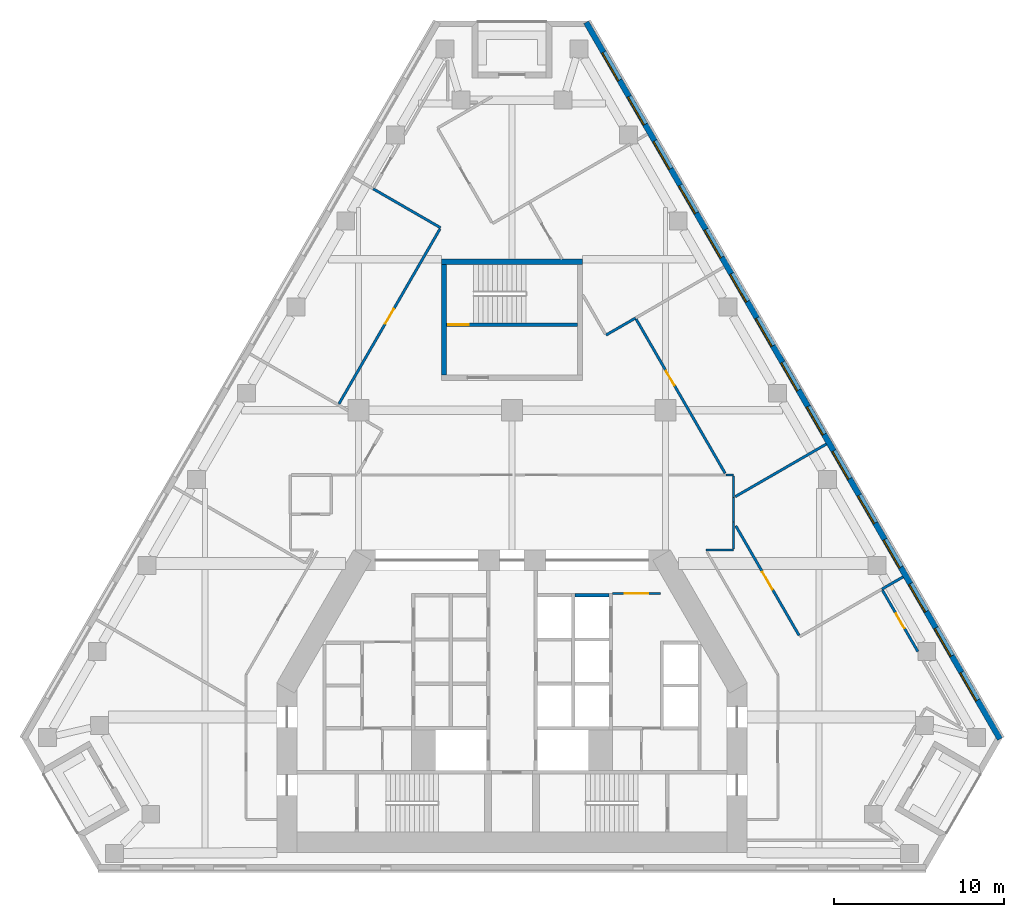
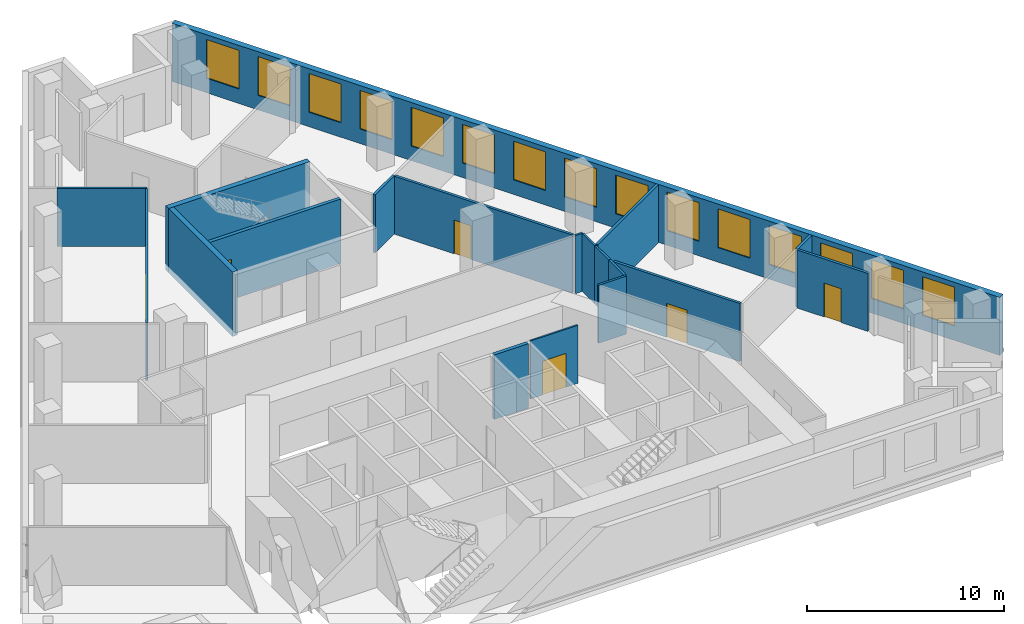
# One storey, part 6 of 8: 19 walls, 15 windows, 6 doors, 21 openings.
"""IFC4 building model written with IfcOpenShell, lengths in metres."""

from ifc_helpers import new_model, si_unit, direction, frame, frame_2d, origin, place, context, subcontext, project, spatial, rectangle, extrude, material, layer, layer_set, type_object, element, fill, save


model = new_model("IFC4")

# Units and contexts
model_context = context("Model", 3, precision=1e-05, world=origin(), true_north=direction((0.0, 1.0)))
body_context = subcontext(model_context, "Body", "Model", "MODEL_VIEW")
ifc_project = project(units=[si_unit("LENGTHUNIT", "METRE"), si_unit("AREAUNIT", "SQUARE_METRE"), si_unit("VOLUMEUNIT", "CUBIC_METRE"), si_unit("PLANEANGLEUNIT", "RADIAN"), si_unit("MASSUNIT", "GRAM", prefix="KILO")], contexts=[model_context])

# Site, building, storey
site_placement = place(None, origin())
site = spatial("IfcSite", under=ifc_project, at=site_placement, CompositionType="ELEMENT")
building_placement = place(site_placement, origin())
building = spatial("IfcBuilding", under=site, at=building_placement, Name="Fogline Exchange Tower", CompositionType="ELEMENT")
storey_placement = place(building_placement, frame((0.0, 0.0, 154.89990234375)))
storey = spatial("IfcBuildingStorey", under=building, at=storey_placement, Name="L34", CompositionType="ELEMENT", Elevation=154.89990234375)

# Wall, opening, door
ifc_material_1 = material(Name="Blockwork partition", Category="masonry")
ifc_layer_1 = layer(ifc_material_1, 0.10009765625)
ifc_layer_set_1 = layer_set([ifc_layer_1], Name="CW10")
wall_type_1 = type_object("IfcWallType", Name="CW10", PredefinedType="PARTITIONING", material=ifc_layer_set_1)
wall_1_placement = place(storey_placement, frame((5.89990234375, 16.25, 0.0), z_axis=(0.0, 0.0, 1.0), x_axis=(1.0, 0.0, 0.0)))
wall_1 = element("IfcWall", 1, at=wall_1_placement, inside=storey, type_object=wall_type_1, Name="Lift lobby partition", PredefinedType="PARTITIONING", context=body_context, shape_type="SweptSolid", body=[
    extrude(rectangle(XDim=2.800048828125, YDim=0.10009765625, at=frame_2d((1.39990234375, 0.0))), origin(), (0.0, 0.0, 1.0), 3.60009765625),
])
opening_1_placement = place(wall_1_placement, frame((0.699951171875, 0.0, 0.0)))
opening_1 = element("IfcOpeningElement", 2, at=opening_1_placement, cuts=wall_1, Name="Opening T11-C017", PredefinedType="OPENING", context=body_context, shape_type="SweptSolid", body=[
    extrude(rectangle(XDim=1.39990234375, YDim=2.10009765625, at=frame_2d((0.699951171875, 1.050048828125))), frame((0.0, 0.06005859375, 0.0), z_axis=(0.0, -1.0, 0.0), x_axis=(1.0, 0.0, 0.0)), (0.0, 0.0, 1.0), 0.1201171875),
])
ifc_material_2 = material(Name="Steel and timber fire door", Category="steel")
door_type_1 = type_object("IfcDoorType", Name="D-LB1", OperationType="DOUBLE_DOOR_SINGLE_SWING", PredefinedType="DOOR", material=ifc_material_2)
door_1_placement = place(opening_1_placement, origin())
door_1 = element("IfcDoor", 3, at=door_1_placement, inside=storey, type_object=door_type_1, Name="Door to lift lobby", OperationType="DOUBLE_DOOR_SINGLE_SWING", OverallHeight=2.10009765625, OverallWidth=1.39990234375, PredefinedType="DOOR", context=body_context, shape_type="SweptSolid", body=[
    extrude(rectangle(XDim=1.39990234375, YDim=2.10009765625, at=frame_2d((0.699951171875, 1.050048828125))), frame((0.0, 0.02490234375, 0.0), z_axis=(0.0, -1.0, 0.0), x_axis=(1.0, 0.0, 0.0)), (0.0, 0.0, 1.0), 0.050048828125),
])
fill(opening_1, door_1)

ifc_material_3 = material(Name="Concrete C40", Category="concrete")
ifc_layer_2 = layer(ifc_material_3, 0.199951171875)
ifc_layer_set_2 = layer_set([ifc_layer_2], Name="CW20R")
wall_type_2 = type_object("IfcWallType", Name="CW20R", PredefinedType="SOLIDWALL", material=ifc_layer_set_2)
wall_2_placement = place(storey_placement, frame((-3.85009765625, 32.007080078125, -0.39990234375), z_axis=(0.0, 0.0, 1.0), x_axis=(1.0, 0.0, 0.0)))
wall_2 = element("IfcWall", 4, at=wall_2_placement, inside=storey, type_object=wall_type_2, Name="Stair enclosure wall ST3", PredefinedType="SOLIDWALL", context=body_context, shape_type="SweptSolid", body=[
    extrude(rectangle(XDim=7.7001953125, YDim=0.199951171875, at=frame_2d((3.85009765625, 0.0))), origin(), (0.0, 0.0, 1.0), 4.0),
])
opening_2_placement = place(wall_2_placement, frame((0.10009765625, 0.0, 0.39990234375)))
opening_2 = element("IfcOpeningElement", 5, at=opening_2_placement, cuts=wall_2, Name="Opening T11-C027", PredefinedType="OPENING", context=body_context, shape_type="SweptSolid", body=[
    extrude(rectangle(XDim=1.199951171875, YDim=2.10009765625, at=frame_2d((0.60009765625, 1.050048828125))), frame((0.0, 0.10986328125, 0.0), z_axis=(0.0, -1.0, 0.0), x_axis=(1.0, 0.0, 0.0)), (0.0, 0.0, 1.0), 0.219970703125),
])
door_type_2 = type_object("IfcDoorType", Name="D-ST1", OperationType="SINGLE_SWING_LEFT", PredefinedType="DOOR", material=ifc_material_2)
door_2_placement = place(opening_2_placement, origin())
door_2 = element("IfcDoor", 6, at=door_2_placement, inside=storey, type_object=door_type_2, Name="Stair door ST3", OperationType="SINGLE_SWING_LEFT", OverallHeight=2.10009765625, OverallWidth=1.199951171875, PredefinedType="DOOR", context=body_context, shape_type="SweptSolid", body=[
    extrude(rectangle(XDim=1.199951171875, YDim=2.10009765625, at=frame_2d((0.60009765625, 1.050048828125))), frame((0.0, 0.02490234375, 0.0), z_axis=(0.0, -1.0, 0.0), x_axis=(1.0, 0.0, 0.0)), (0.0, 0.0, 1.0), 0.050048828125),
])
fill(opening_2, door_2)

# Walls
ifc_layer_3 = layer(ifc_material_3, 0.199951171875)
ifc_layer_set_3 = layer_set([ifc_layer_3], Name="CW20S")
wall_type_3 = type_object("IfcWallType", Name="CW20S", PredefinedType="SOLIDWALL", material=ifc_layer_set_3)
wall_3_placement = place(storey_placement, frame((3.699951171875, 16.14990234375, -0.39990234375), z_axis=(0.0, 0.0, 1.0), x_axis=(1.0, 0.0, 0.0)))
element("IfcWall", 7, at=wall_3_placement, inside=storey, type_object=wall_type_3, Name="Lift shaft wall", PredefinedType="SOLIDWALL", context=body_context, shape_type="SweptSolid", body=[
    extrude(rectangle(XDim=2.0, YDim=0.199951171875, at=frame_2d((1.0, 0.0))), origin(), (0.0, 0.0, 1.0), 4.0),
])
ifc_layer_4 = layer(ifc_material_3, 0.300048828125)
ifc_layer_set_4 = layer_set([ifc_layer_4], Name="CW30")
wall_type_4 = type_object("IfcWallType", Name="CW30", PredefinedType="SOLIDWALL", material=ifc_layer_set_4)
wall_4_placement = place(storey_placement, frame((-4.14990234375, 35.70703125, -0.39990234375), z_axis=(0.0, 0.0, 1.0), x_axis=(1.0, 0.0, 0.0)))
element("IfcWall", 8, at=wall_4_placement, inside=storey, type_object=wall_type_4, Name="Stair enclosure wall ST3", PredefinedType="SOLIDWALL", context=body_context, shape_type="SweptSolid", body=[
    extrude(rectangle(XDim=8.2998046875, YDim=0.300048828125, at=frame_2d((4.14990234375, 0.0))), origin(), (0.0, 0.0, 1.0), 4.0),
])
wall_5_placement = place(storey_placement, frame((-4.0, 29.056884765625, -0.39990234375), z_axis=(0.0, 0.0, 1.0), x_axis=(0.0, 1.0, 0.0)))
element("IfcWall", 9, at=wall_5_placement, inside=storey, type_object=wall_type_4, Name="Stair enclosure wall ST3", PredefinedType="SOLIDWALL", context=body_context, shape_type="SweptSolid", body=[
    extrude(rectangle(XDim=6.5, YDim=0.300048828125, at=frame_2d((3.25, 0.0))), origin(), (0.0, 0.0, 1.0), 4.0),
])

# Wall, openings, windows
ifc_material_4 = material(Name="Brick masonry", Category="masonry")
ifc_layer_5 = layer(ifc_material_4, 0.340087890625)
ifc_layer_set_5 = layer_set([ifc_layer_5], Name="FW1")
wall_type_5 = type_object("IfcWallType", Name="FW1", PredefinedType="SOLIDWALL", material=ifc_layer_set_5)
wall_6_placement = place(storey_placement, frame((28.62890625, 7.709228515625, 0.0), z_axis=(0.0, 0.0, 1.0), x_axis=(-0.500001027829, 0.866024810367, 0.0)))
wall_6 = element("IfcWall", 10, at=wall_6_placement, inside=storey, type_object=wall_type_5, Name="Brick wall L34 E", PredefinedType="SOLIDWALL", context=body_context, shape_type="SweptSolid", body=[
    extrude(rectangle(XDim=48.55224609375, YDim=0.340087890625, at=frame_2d((24.276123046875, 0.0))), origin(), (0.0, 0.0, 1.0), 3.60009765625),
])
opening_3_placement = place(wall_6_placement, frame((2.637939453125, 0.0, 0.89990234375)))
opening_3 = element("IfcOpeningElement", 11, at=opening_3_placement, cuts=wall_6, Name="Opening W1", PredefinedType="OPENING", context=body_context, shape_type="SweptSolid", body=[
    extrude(rectangle(XDim=1.885009765625, YDim=2.39990234375, at=frame_2d((0.9423828125, 1.199951171875))), frame((0.0, 0.18017578125, 0.0), z_axis=(0.0, -1.0, 0.0), x_axis=(1.0, 0.0, 0.0)), (0.0, 0.0, 1.0), 0.360107421875),
])
opening_4_placement = place(wall_6_placement, frame((5.637939453125, 0.0, 0.89990234375)))
opening_4 = element("IfcOpeningElement", 12, at=opening_4_placement, cuts=wall_6, Name="Opening W1", PredefinedType="OPENING", context=body_context, shape_type="SweptSolid", body=[
    extrude(rectangle(XDim=1.885009765625, YDim=2.39990234375, at=frame_2d((0.9423828125, 1.199951171875))), frame((0.0, 0.18017578125, 0.0), z_axis=(0.0, -1.0, 0.0), x_axis=(1.0, 0.0, 0.0)), (0.0, 0.0, 1.0), 0.360107421875),
])
opening_5_placement = place(wall_6_placement, frame((8.637939453125, 0.0, 0.89990234375)))
opening_5 = element("IfcOpeningElement", 13, at=opening_5_placement, cuts=wall_6, Name="Opening W1", PredefinedType="OPENING", context=body_context, shape_type="SweptSolid", body=[
    extrude(rectangle(XDim=1.885009765625, YDim=2.39990234375, at=frame_2d((0.9423828125, 1.199951171875))), frame((0.0, 0.18017578125, 0.0), z_axis=(0.0, -1.0, 0.0), x_axis=(1.0, 0.0, 0.0)), (0.0, 0.0, 1.0), 0.360107421875),
])
opening_6_placement = place(wall_6_placement, frame((11.637939453125, 0.0, 0.89990234375)))
opening_6 = element("IfcOpeningElement", 14, at=opening_6_placement, cuts=wall_6, Name="Opening W1", PredefinedType="OPENING", context=body_context, shape_type="SweptSolid", body=[
    extrude(rectangle(XDim=1.885009765625, YDim=2.39990234375, at=frame_2d((0.9423828125, 1.199951171875))), frame((0.0, 0.18017578125, 0.0), z_axis=(0.0, -1.0, 0.0), x_axis=(1.0, 0.0, 0.0)), (0.0, 0.0, 1.0), 0.360107421875),
])
opening_7_placement = place(wall_6_placement, frame((14.637939453125, 0.0, 0.89990234375)))
opening_7 = element("IfcOpeningElement", 15, at=opening_7_placement, cuts=wall_6, Name="Opening W1", PredefinedType="OPENING", context=body_context, shape_type="SweptSolid", body=[
    extrude(rectangle(XDim=1.885009765625, YDim=2.39990234375, at=frame_2d((0.9423828125, 1.199951171875))), frame((0.0, 0.18017578125, 0.0), z_axis=(0.0, -1.0, 0.0), x_axis=(1.0, 0.0, 0.0)), (0.0, 0.0, 1.0), 0.360107421875),
])
opening_8_placement = place(wall_6_placement, frame((17.637939453125, 0.0, 0.89990234375)))
opening_8 = element("IfcOpeningElement", 16, at=opening_8_placement, cuts=wall_6, Name="Opening W1", PredefinedType="OPENING", context=body_context, shape_type="SweptSolid", body=[
    extrude(rectangle(XDim=1.885009765625, YDim=2.39990234375, at=frame_2d((0.9423828125, 1.199951171875))), frame((0.0, 0.18017578125, 0.0), z_axis=(0.0, -1.0, 0.0), x_axis=(1.0, 0.0, 0.0)), (0.0, 0.0, 1.0), 0.360107421875),
])
opening_9_placement = place(wall_6_placement, frame((20.637939453125, 0.0, 0.89990234375)))
opening_9 = element("IfcOpeningElement", 17, at=opening_9_placement, cuts=wall_6, Name="Opening W1", PredefinedType="OPENING", context=body_context, shape_type="SweptSolid", body=[
    extrude(rectangle(XDim=1.885009765625, YDim=2.39990234375, at=frame_2d((0.9423828125, 1.199951171875))), frame((0.0, 0.18017578125, 0.0), z_axis=(0.0, -1.0, 0.0), x_axis=(1.0, 0.0, 0.0)), (0.0, 0.0, 1.0), 0.360107421875),
])
opening_10_placement = place(wall_6_placement, frame((23.637939453125, 0.0, 0.89990234375)))
opening_10 = element("IfcOpeningElement", 18, at=opening_10_placement, cuts=wall_6, Name="Opening W1", PredefinedType="OPENING", context=body_context, shape_type="SweptSolid", body=[
    extrude(rectangle(XDim=1.885009765625, YDim=2.39990234375, at=frame_2d((0.9423828125, 1.199951171875))), frame((0.0, 0.18017578125, 0.0), z_axis=(0.0, -1.0, 0.0), x_axis=(1.0, 0.0, 0.0)), (0.0, 0.0, 1.0), 0.360107421875),
])
opening_11_placement = place(wall_6_placement, frame((26.637939453125, 0.0, 0.89990234375)))
opening_11 = element("IfcOpeningElement", 19, at=opening_11_placement, cuts=wall_6, Name="Opening W1", PredefinedType="OPENING", context=body_context, shape_type="SweptSolid", body=[
    extrude(rectangle(XDim=1.885009765625, YDim=2.39990234375, at=frame_2d((0.9423828125, 1.199951171875))), frame((0.0, 0.18017578125, 0.0), z_axis=(0.0, -1.0, 0.0), x_axis=(1.0, 0.0, 0.0)), (0.0, 0.0, 1.0), 0.360107421875),
])
opening_12_placement = place(wall_6_placement, frame((29.637939453125, 0.0, 0.89990234375)))
opening_12 = element("IfcOpeningElement", 20, at=opening_12_placement, cuts=wall_6, Name="Opening W1", PredefinedType="OPENING", context=body_context, shape_type="SweptSolid", body=[
    extrude(rectangle(XDim=1.885009765625, YDim=2.39990234375, at=frame_2d((0.9423828125, 1.199951171875))), frame((0.0, 0.18017578125, 0.0), z_axis=(0.0, -1.0, 0.0), x_axis=(1.0, 0.0, 0.0)), (0.0, 0.0, 1.0), 0.360107421875),
])
opening_13_placement = place(wall_6_placement, frame((32.637939453125, 0.0, 0.89990234375)))
opening_13 = element("IfcOpeningElement", 21, at=opening_13_placement, cuts=wall_6, Name="Opening W1", PredefinedType="OPENING", context=body_context, shape_type="SweptSolid", body=[
    extrude(rectangle(XDim=1.885009765625, YDim=2.39990234375, at=frame_2d((0.9423828125, 1.199951171875))), frame((0.0, 0.18017578125, 0.0), z_axis=(0.0, -1.0, 0.0), x_axis=(1.0, 0.0, 0.0)), (0.0, 0.0, 1.0), 0.360107421875),
])
opening_14_placement = place(wall_6_placement, frame((35.637939453125, 0.0, 0.89990234375)))
opening_14 = element("IfcOpeningElement", 22, at=opening_14_placement, cuts=wall_6, Name="Opening W1", PredefinedType="OPENING", context=body_context, shape_type="SweptSolid", body=[
    extrude(rectangle(XDim=1.885009765625, YDim=2.39990234375, at=frame_2d((0.9423828125, 1.199951171875))), frame((0.0, 0.18017578125, 0.0), z_axis=(0.0, -1.0, 0.0), x_axis=(1.0, 0.0, 0.0)), (0.0, 0.0, 1.0), 0.360107421875),
])
opening_15_placement = place(wall_6_placement, frame((38.637939453125, 0.0, 0.89990234375)))
opening_15 = element("IfcOpeningElement", 23, at=opening_15_placement, cuts=wall_6, Name="Opening W1", PredefinedType="OPENING", context=body_context, shape_type="SweptSolid", body=[
    extrude(rectangle(XDim=1.885009765625, YDim=2.39990234375, at=frame_2d((0.9423828125, 1.199951171875))), frame((0.0, 0.18017578125, 0.0), z_axis=(0.0, -1.0, 0.0), x_axis=(1.0, 0.0, 0.0)), (0.0, 0.0, 1.0), 0.360107421875),
])
opening_16_placement = place(wall_6_placement, frame((41.637939453125, 0.0, 0.89990234375)))
opening_16 = element("IfcOpeningElement", 24, at=opening_16_placement, cuts=wall_6, Name="Opening W1", PredefinedType="OPENING", context=body_context, shape_type="SweptSolid", body=[
    extrude(rectangle(XDim=1.885009765625, YDim=2.39990234375, at=frame_2d((0.9423828125, 1.199951171875))), frame((0.0, 0.18017578125, 0.0), z_axis=(0.0, -1.0, 0.0), x_axis=(1.0, 0.0, 0.0)), (0.0, 0.0, 1.0), 0.360107421875),
])
opening_17_placement = place(wall_6_placement, frame((44.637939453125, 0.0, 0.89990234375)))
opening_17 = element("IfcOpeningElement", 25, at=opening_17_placement, cuts=wall_6, Name="Opening W1", PredefinedType="OPENING", context=body_context, shape_type="SweptSolid", body=[
    extrude(rectangle(XDim=1.885009765625, YDim=2.39990234375, at=frame_2d((0.9423828125, 1.199951171875))), frame((0.0, 0.18017578125, 0.0), z_axis=(0.0, -1.0, 0.0), x_axis=(1.0, 0.0, 0.0)), (0.0, 0.0, 1.0), 0.360107421875),
])
ifc_material_5 = material(Name="Aluminium and glass", Category="aluminium")
window_type = type_object("IfcWindowType", Name="W1", PartitioningType="SINGLE_PANEL", PredefinedType="WINDOW", material=ifc_material_5)
window_1_placement = place(opening_3_placement, origin())
window_1 = element("IfcWindow", 26, at=window_1_placement, inside=storey, type_object=window_type, Name="W1 W1", OverallHeight=2.39990234375, OverallWidth=1.885009765625, PartitioningType="SINGLE_PANEL", PredefinedType="WINDOW", context=body_context, shape_type="SweptSolid", body=[
    extrude(rectangle(XDim=1.885009765625, YDim=2.39990234375, at=frame_2d((0.9423828125, 1.199951171875))), frame((0.0, 0.110107421875, 0.0), z_axis=(0.0, -1.0, 0.0), x_axis=(1.0, 0.0, 0.0)), (0.0, 0.0, 1.0), 0.06005859375),
])
fill(opening_3, window_1)
window_2_placement = place(opening_4_placement, origin())
window_2 = element("IfcWindow", 27, at=window_2_placement, inside=storey, type_object=window_type, Name="W1 W1", OverallHeight=2.39990234375, OverallWidth=1.885009765625, PartitioningType="SINGLE_PANEL", PredefinedType="WINDOW", context=body_context, shape_type="SweptSolid", body=[
    extrude(rectangle(XDim=1.885009765625, YDim=2.39990234375, at=frame_2d((0.9423828125, 1.199951171875))), frame((0.0, 0.110107421875, 0.0), z_axis=(0.0, -1.0, 0.0), x_axis=(1.0, 0.0, 0.0)), (0.0, 0.0, 1.0), 0.06005859375),
])
fill(opening_4, window_2)
window_3_placement = place(opening_5_placement, origin())
window_3 = element("IfcWindow", 28, at=window_3_placement, inside=storey, type_object=window_type, Name="W1 W1", OverallHeight=2.39990234375, OverallWidth=1.885009765625, PartitioningType="SINGLE_PANEL", PredefinedType="WINDOW", context=body_context, shape_type="SweptSolid", body=[
    extrude(rectangle(XDim=1.885009765625, YDim=2.39990234375, at=frame_2d((0.9423828125, 1.199951171875))), frame((0.0, 0.110107421875, 0.0), z_axis=(0.0, -1.0, 0.0), x_axis=(1.0, 0.0, 0.0)), (0.0, 0.0, 1.0), 0.06005859375),
])
fill(opening_5, window_3)
window_4_placement = place(opening_6_placement, origin())
window_4 = element("IfcWindow", 29, at=window_4_placement, inside=storey, type_object=window_type, Name="W1 W1", OverallHeight=2.39990234375, OverallWidth=1.885009765625, PartitioningType="SINGLE_PANEL", PredefinedType="WINDOW", context=body_context, shape_type="SweptSolid", body=[
    extrude(rectangle(XDim=1.885009765625, YDim=2.39990234375, at=frame_2d((0.9423828125, 1.199951171875))), frame((0.0, 0.110107421875, 0.0), z_axis=(0.0, -1.0, 0.0), x_axis=(1.0, 0.0, 0.0)), (0.0, 0.0, 1.0), 0.06005859375),
])
fill(opening_6, window_4)
window_5_placement = place(opening_7_placement, origin())
window_5 = element("IfcWindow", 30, at=window_5_placement, inside=storey, type_object=window_type, Name="W1 W1", OverallHeight=2.39990234375, OverallWidth=1.885009765625, PartitioningType="SINGLE_PANEL", PredefinedType="WINDOW", context=body_context, shape_type="SweptSolid", body=[
    extrude(rectangle(XDim=1.885009765625, YDim=2.39990234375, at=frame_2d((0.9423828125, 1.199951171875))), frame((0.0, 0.110107421875, 0.0), z_axis=(0.0, -1.0, 0.0), x_axis=(1.0, 0.0, 0.0)), (0.0, 0.0, 1.0), 0.06005859375),
])
fill(opening_7, window_5)
window_6_placement = place(opening_8_placement, origin())
window_6 = element("IfcWindow", 31, at=window_6_placement, inside=storey, type_object=window_type, Name="W1 W1", OverallHeight=2.39990234375, OverallWidth=1.885009765625, PartitioningType="SINGLE_PANEL", PredefinedType="WINDOW", context=body_context, shape_type="SweptSolid", body=[
    extrude(rectangle(XDim=1.885009765625, YDim=2.39990234375, at=frame_2d((0.9423828125, 1.199951171875))), frame((0.0, 0.110107421875, 0.0), z_axis=(0.0, -1.0, 0.0), x_axis=(1.0, 0.0, 0.0)), (0.0, 0.0, 1.0), 0.06005859375),
])
fill(opening_8, window_6)
window_7_placement = place(opening_9_placement, origin())
window_7 = element("IfcWindow", 32, at=window_7_placement, inside=storey, type_object=window_type, Name="W1 W1", OverallHeight=2.39990234375, OverallWidth=1.885009765625, PartitioningType="SINGLE_PANEL", PredefinedType="WINDOW", context=body_context, shape_type="SweptSolid", body=[
    extrude(rectangle(XDim=1.885009765625, YDim=2.39990234375, at=frame_2d((0.9423828125, 1.199951171875))), frame((0.0, 0.110107421875, 0.0), z_axis=(0.0, -1.0, 0.0), x_axis=(1.0, 0.0, 0.0)), (0.0, 0.0, 1.0), 0.06005859375),
])
fill(opening_9, window_7)
window_8_placement = place(opening_10_placement, origin())
window_8 = element("IfcWindow", 33, at=window_8_placement, inside=storey, type_object=window_type, Name="W1 W1", OverallHeight=2.39990234375, OverallWidth=1.885009765625, PartitioningType="SINGLE_PANEL", PredefinedType="WINDOW", context=body_context, shape_type="SweptSolid", body=[
    extrude(rectangle(XDim=1.885009765625, YDim=2.39990234375, at=frame_2d((0.9423828125, 1.199951171875))), frame((0.0, 0.110107421875, 0.0), z_axis=(0.0, -1.0, 0.0), x_axis=(1.0, 0.0, 0.0)), (0.0, 0.0, 1.0), 0.06005859375),
])
fill(opening_10, window_8)
window_9_placement = place(opening_11_placement, origin())
window_9 = element("IfcWindow", 34, at=window_9_placement, inside=storey, type_object=window_type, Name="W1 W1", OverallHeight=2.39990234375, OverallWidth=1.885009765625, PartitioningType="SINGLE_PANEL", PredefinedType="WINDOW", context=body_context, shape_type="SweptSolid", body=[
    extrude(rectangle(XDim=1.885009765625, YDim=2.39990234375, at=frame_2d((0.9423828125, 1.199951171875))), frame((0.0, 0.110107421875, 0.0), z_axis=(0.0, -1.0, 0.0), x_axis=(1.0, 0.0, 0.0)), (0.0, 0.0, 1.0), 0.06005859375),
])
fill(opening_11, window_9)
window_10_placement = place(opening_12_placement, origin())
window_10 = element("IfcWindow", 35, at=window_10_placement, inside=storey, type_object=window_type, Name="W1 W1", OverallHeight=2.39990234375, OverallWidth=1.885009765625, PartitioningType="SINGLE_PANEL", PredefinedType="WINDOW", context=body_context, shape_type="SweptSolid", body=[
    extrude(rectangle(XDim=1.885009765625, YDim=2.39990234375, at=frame_2d((0.9423828125, 1.199951171875))), frame((0.0, 0.110107421875, 0.0), z_axis=(0.0, -1.0, 0.0), x_axis=(1.0, 0.0, 0.0)), (0.0, 0.0, 1.0), 0.06005859375),
])
fill(opening_12, window_10)
window_11_placement = place(opening_13_placement, origin())
window_11 = element("IfcWindow", 36, at=window_11_placement, inside=storey, type_object=window_type, Name="W1 W1", OverallHeight=2.39990234375, OverallWidth=1.885009765625, PartitioningType="SINGLE_PANEL", PredefinedType="WINDOW", context=body_context, shape_type="SweptSolid", body=[
    extrude(rectangle(XDim=1.885009765625, YDim=2.39990234375, at=frame_2d((0.9423828125, 1.199951171875))), frame((0.0, 0.110107421875, 0.0), z_axis=(0.0, -1.0, 0.0), x_axis=(1.0, 0.0, 0.0)), (0.0, 0.0, 1.0), 0.06005859375),
])
fill(opening_13, window_11)
window_12_placement = place(opening_14_placement, origin())
window_12 = element("IfcWindow", 37, at=window_12_placement, inside=storey, type_object=window_type, Name="W1 W1", OverallHeight=2.39990234375, OverallWidth=1.885009765625, PartitioningType="SINGLE_PANEL", PredefinedType="WINDOW", context=body_context, shape_type="SweptSolid", body=[
    extrude(rectangle(XDim=1.885009765625, YDim=2.39990234375, at=frame_2d((0.9423828125, 1.199951171875))), frame((0.0, 0.110107421875, 0.0), z_axis=(0.0, -1.0, 0.0), x_axis=(1.0, 0.0, 0.0)), (0.0, 0.0, 1.0), 0.06005859375),
])
fill(opening_14, window_12)
window_13_placement = place(opening_15_placement, origin())
window_13 = element("IfcWindow", 38, at=window_13_placement, inside=storey, type_object=window_type, Name="W1 W1", OverallHeight=2.39990234375, OverallWidth=1.885009765625, PartitioningType="SINGLE_PANEL", PredefinedType="WINDOW", context=body_context, shape_type="SweptSolid", body=[
    extrude(rectangle(XDim=1.885009765625, YDim=2.39990234375, at=frame_2d((0.9423828125, 1.199951171875))), frame((0.0, 0.110107421875, 0.0), z_axis=(0.0, -1.0, 0.0), x_axis=(1.0, 0.0, 0.0)), (0.0, 0.0, 1.0), 0.06005859375),
])
fill(opening_15, window_13)
window_14_placement = place(opening_16_placement, origin())
window_14 = element("IfcWindow", 39, at=window_14_placement, inside=storey, type_object=window_type, Name="W1 W1", OverallHeight=2.39990234375, OverallWidth=1.885009765625, PartitioningType="SINGLE_PANEL", PredefinedType="WINDOW", context=body_context, shape_type="SweptSolid", body=[
    extrude(rectangle(XDim=1.885009765625, YDim=2.39990234375, at=frame_2d((0.9423828125, 1.199951171875))), frame((0.0, 0.110107421875, 0.0), z_axis=(0.0, -1.0, 0.0), x_axis=(1.0, 0.0, 0.0)), (0.0, 0.0, 1.0), 0.06005859375),
])
fill(opening_16, window_14)
window_15_placement = place(opening_17_placement, origin())
window_15 = element("IfcWindow", 40, at=window_15_placement, inside=storey, type_object=window_type, Name="W1 W1", OverallHeight=2.39990234375, OverallWidth=1.885009765625, PartitioningType="SINGLE_PANEL", PredefinedType="WINDOW", context=body_context, shape_type="SweptSolid", body=[
    extrude(rectangle(XDim=1.885009765625, YDim=2.39990234375, at=frame_2d((0.9423828125, 1.199951171875))), frame((0.0, 0.110107421875, 0.0), z_axis=(0.0, -1.0, 0.0), x_axis=(1.0, 0.0, 0.0)), (0.0, 0.0, 1.0), 0.06005859375),
])
fill(opening_17, window_15)

# Walls
ifc_material_6 = material(Name="Plasterboard corridor partition with mineral wool, 2 layers each side")
ifc_layer_6 = layer(ifc_material_6, 0.125)
ifc_layer_set_6 = layer_set([ifc_layer_6], Name="PW2")
wall_type_6 = type_object("IfcWallType", Name="PW2", PredefinedType="PARTITIONING", material=ifc_layer_set_6)
wall_7_placement = place(storey_placement, frame((13.0, 21.872802734375, 0.0), z_axis=(0.0, 0.0, 1.0), x_axis=(0.0, -1.0, 0.0)))
element("IfcWall", 41, at=wall_7_placement, inside=storey, type_object=wall_type_6, Name="wall-L34-W004", PredefinedType="PARTITIONING", context=body_context, shape_type="SweptSolid", body=[
    extrude(rectangle(XDim=1.43359375, YDim=0.125, at=frame_2d((0.716796875, 0.0))), origin(), (0.0, 0.0, 1.0), 3.60009765625),
])
wall_8_placement = place(storey_placement, frame((12.560791015625, 23.199951171875, 0.0), z_axis=(0.0, 0.0, 1.0), x_axis=(1.0, 0.0, 0.0)))
element("IfcWall", 42, at=wall_8_placement, inside=storey, type_object=wall_type_6, Name="wall-L34-W005", PredefinedType="PARTITIONING", context=body_context, shape_type="SweptSolid", body=[
    extrude(rectangle(XDim=0.439208984375, YDim=0.125, at=frame_2d((0.2197265625, 0.0))), origin(), (0.0, 0.0, 1.0), 3.60009765625),
])
wall_9_placement = place(storey_placement, frame((13.0, 23.137451171875, 0.0), z_axis=(0.0, 0.0, 1.0), x_axis=(0.0, -1.0, 0.0)))
element("IfcWall", 43, at=wall_9_placement, inside=storey, type_object=wall_type_6, Name="wall-L34-W006", PredefinedType="PARTITIONING", context=body_context, shape_type="SweptSolid", body=[
    extrude(rectangle(XDim=1.2646484375, YDim=0.125, at=frame_2d((0.63232421875, 0.0))), origin(), (0.0, 0.0, 1.0), 3.60009765625),
])
wall_10_placement = place(storey_placement, frame((13.0, 20.439208984375, 0.0), z_axis=(0.0, 0.0, 1.0), x_axis=(0.0, -1.0, 0.0)))
element("IfcWall", 44, at=wall_10_placement, inside=storey, type_object=wall_type_6, Name="wall-L34-W013", PredefinedType="PARTITIONING", context=body_context, shape_type="SweptSolid", body=[
    extrude(rectangle(XDim=1.57666015625, YDim=0.125, at=frame_2d((0.788330078125, 0.0))), origin(), (0.0, 0.0, 1.0), 3.60009765625),
])
wall_11_placement = place(storey_placement, frame((13.0, 18.800048828125, 0.0), z_axis=(0.0, 0.0, 1.0), x_axis=(-1.0, 0.0, 0.0)))
element("IfcWall", 45, at=wall_11_placement, inside=storey, type_object=wall_type_6, Name="wall-L34-W014", PredefinedType="PARTITIONING", context=body_context, shape_type="SweptSolid", body=[
    extrude(rectangle(XDim=1.62548828125, YDim=0.125, at=frame_2d((0.812744140625, 0.0))), origin(), (0.0, 0.0, 1.0), 3.60009765625),
])
ifc_material_7 = material(Name="Plasterboard demising partition with mineral wool and acoustic board")
ifc_layer_7 = layer(ifc_material_7, 0.14990234375)
ifc_layer_set_7 = layer_set([ifc_layer_7], Name="PW3")
wall_type_7 = type_object("IfcWallType", Name="PW3", PredefinedType="PARTITIONING", material=ifc_layer_set_7)
wall_12_placement = place(storey_placement, frame((13.100341796875, 21.930908203125, 0.0), z_axis=(0.0, 0.0, 1.0), x_axis=(0.866037262717, 0.499979459163, 0.0)))
element("IfcWall", 46, at=wall_12_placement, inside=storey, type_object=wall_type_7, Name="wall-L34-W019", PredefinedType="PARTITIONING", context=body_context, shape_type="SweptSolid", body=[
    extrude(rectangle(XDim=6.167236328125, YDim=0.14990234375, at=frame_2d((3.08349609375, 0.0))), origin(), (0.0, 0.0, 1.0), 3.60009765625),
])
wall_13_placement = place(storey_placement, frame((22.94140625, 17.22021484375, 0.0), z_axis=(0.0, 0.0, 1.0), x_axis=(-0.866038426532, -0.499977443261, 0.0)))
element("IfcWall", 47, at=wall_13_placement, inside=storey, type_object=wall_type_7, Name="wall-L34-W020", PredefinedType="PARTITIONING", context=body_context, shape_type="SweptSolid", body=[
    extrude(rectangle(XDim=1.4365234375, YDim=0.14990234375, at=frame_2d((0.71826171875, 0.0))), origin(), (0.0, 0.0, 1.0), 3.60009765625),
])

# Wall, opening, door
wall_14_placement = place(storey_placement, frame((16.841796875, 13.785400390625, 0.0), z_axis=(0.0, 0.0, 1.0), x_axis=(-0.500024037331, 0.86601152538, 0.0)))
wall_14 = element("IfcWall", 48, at=wall_14_placement, inside=storey, type_object=wall_type_7, Name="wall-L34-W022", PredefinedType="PARTITIONING", context=body_context, shape_type="SweptSolid", body=[
    extrude(rectangle(XDim=7.427978515625, YDim=0.14990234375, at=frame_2d((3.7138671875, 0.0))), origin(), (0.0, 0.0, 1.0), 3.60009765625),
])
opening_18_placement = place(wall_14_placement, frame((3.114013671875, 0.0, 0.0)))
opening_18 = element("IfcOpeningElement", 49, at=opening_18_placement, cuts=wall_14, Name="Opening T11-D007", PredefinedType="OPENING", context=body_context, shape_type="SweptSolid", body=[
    extrude(rectangle(XDim=1.199951171875, YDim=2.10009765625, at=frame_2d((0.60009765625, 1.050048828125))), frame((0.0, 0.0849609375, 0.0), z_axis=(0.0, -1.0, 0.0), x_axis=(1.0, 0.0, 0.0)), (0.0, 0.0, 1.0), 0.169921875),
])
ifc_material_8 = material(Name="Fire-rated glazed door leaf with steel frame", Category="steel")
door_type_3 = type_object("IfcDoorType", Name="D5", OperationType="SINGLE_SWING_LEFT", PredefinedType="DOOR", material=ifc_material_8)
door_3_placement = place(opening_18_placement, frame((1.199951171875, 0.0, 0.0), z_axis=(0.0, 0.0, 1.0), x_axis=(-1.0, 0.0, 0.0)))
door_3 = element("IfcDoor", 50, at=door_3_placement, inside=storey, type_object=door_type_3, Name="door-L34-D007", OperationType="SINGLE_SWING_RIGHT", OverallHeight=2.10009765625, OverallWidth=1.199951171875, PredefinedType="DOOR", context=body_context, shape_type="SweptSolid", body=[
    extrude(rectangle(XDim=1.199951171875, YDim=2.10009765625, at=frame_2d((0.60009765625, 1.050048828125))), frame((0.0, 0.02490234375, 0.0), z_axis=(0.0, -1.0, 0.0), x_axis=(1.0, 0.0, 0.0)), (0.0, 0.0, 1.0), 0.050048828125),
])
fill(opening_18, door_3)

wall_15_placement = place(storey_placement, frame((12.502685546875, 23.30029296875, 0.0), z_axis=(0.0, 0.0, 1.0), x_axis=(-0.499989654501, 0.866031376679, 0.0)))
wall_15 = element("IfcWall", 51, at=wall_15_placement, inside=storey, type_object=wall_type_7, Name="wall-L34-W024", PredefinedType="PARTITIONING", context=body_context, shape_type="SweptSolid", body=[
    extrude(rectangle(XDim=10.440185546875, YDim=0.14990234375, at=frame_2d((5.22021484375, 0.0))), origin(), (0.0, 0.0, 1.0), 3.60009765625),
])
opening_19_placement = place(wall_15_placement, frame((5.939208984375, 0.0, 0.0)))
opening_19 = element("IfcOpeningElement", 52, at=opening_19_placement, cuts=wall_15, Name="Opening T11-D008", PredefinedType="OPENING", context=body_context, shape_type="SweptSolid", body=[
    extrude(rectangle(XDim=1.0, YDim=2.10009765625, at=frame_2d((0.5, 1.050048828125))), frame((0.0, 0.0849609375, 0.0), z_axis=(0.0, -1.0, 0.0), x_axis=(1.0, 0.0, 0.0)), (0.0, 0.0, 1.0), 0.169921875),
])
ifc_material_9 = material(Name="Fire-rated timber door leaf with steel frame", Category="steel")
door_type_4 = type_object("IfcDoorType", Name="D3", OperationType="SINGLE_SWING_LEFT", PredefinedType="DOOR", material=ifc_material_9)
door_4_placement = place(opening_19_placement, frame((1.0, 0.0, 0.0), z_axis=(0.0, 0.0, 1.0), x_axis=(-1.0, 0.0, 0.0)))
door_4 = element("IfcDoor", 53, at=door_4_placement, inside=storey, type_object=door_type_4, Name="door-L34-D008", OperationType="SINGLE_SWING_LEFT", OverallHeight=2.10009765625, OverallWidth=1.0, PredefinedType="DOOR", context=body_context, shape_type="SweptSolid", body=[
    extrude(rectangle(XDim=1.0, YDim=2.10009765625, at=frame_2d((0.5, 1.050048828125))), frame((0.0, 0.02490234375, 0.0), z_axis=(0.0, -1.0, 0.0), x_axis=(1.0, 0.0, 0.0)), (0.0, 0.0, 1.0), 0.050048828125),
])
fill(opening_19, door_4)

# Wall
wall_16_placement = place(storey_placement, frame((7.2451171875, 32.40673828125, 0.0), z_axis=(0.0, 0.0, 1.0), x_axis=(-0.866010750942, -0.50002537861, 0.0)))
element("IfcWall", 54, at=wall_16_placement, inside=storey, type_object=wall_type_7, Name="wall-L34-W027", PredefinedType="PARTITIONING", context=body_context, shape_type="SweptSolid", body=[
    extrude(rectangle(XDim=2.0, YDim=0.14990234375, at=frame_2d((1.0, 0.0))), origin(), (0.0, 0.0, 1.0), 3.60009765625),
])

# Wall, opening, door
wall_17_placement = place(storey_placement, frame((-10.150146484375, 27.375244140625, 0.0), z_axis=(0.0, 0.0, 1.0), x_axis=(0.500010179592, 0.866019526514, 0.0)))
wall_17 = element("IfcWall", 55, at=wall_17_placement, inside=storey, type_object=wall_type_7, Name="wall-L34-W038", PredefinedType="PARTITIONING", context=body_context, shape_type="SweptSolid", body=[
    extrude(rectangle(XDim=11.849853515625, YDim=0.14990234375, at=frame_2d((5.9248046875, 0.0))), origin(), (0.0, 0.0, 1.0), 3.60009765625),
])
opening_20_placement = place(wall_17_placement, frame((5.425048828125, 0.0, 0.0)))
opening_20 = element("IfcOpeningElement", 56, at=opening_20_placement, cuts=wall_17, Name="Opening T11-D012", PredefinedType="OPENING", context=body_context, shape_type="SweptSolid", body=[
    extrude(rectangle(XDim=1.0, YDim=2.10009765625, at=frame_2d((0.5, 1.050048828125))), frame((0.0, 0.0849609375, 0.0), z_axis=(0.0, -1.0, 0.0), x_axis=(1.0, 0.0, 0.0)), (0.0, 0.0, 1.0), 0.169921875),
])
door_5_placement = place(opening_20_placement, origin())
door_5 = element("IfcDoor", 57, at=door_5_placement, inside=storey, type_object=door_type_4, Name="door-L34-D012", OperationType="SINGLE_SWING_RIGHT", OverallHeight=2.10009765625, OverallWidth=1.0, PredefinedType="DOOR", context=body_context, shape_type="SweptSolid", body=[
    extrude(rectangle(XDim=1.0, YDim=2.10009765625, at=frame_2d((0.5, 1.050048828125))), frame((0.0, 0.02490234375, 0.0), z_axis=(0.0, -1.0, 0.0), x_axis=(1.0, 0.0, 0.0)), (0.0, 0.0, 1.0), 0.050048828125),
])
fill(opening_20, door_5)

# Wall
wall_18_placement = place(storey_placement, frame((-4.187744140625, 37.702392578125, 0.0), z_axis=(0.0, 0.0, 1.0), x_axis=(-0.866005624038, 0.500034257961, 0.0)))
element("IfcWall", 58, at=wall_18_placement, inside=storey, type_object=wall_type_7, Name="wall-L34-W039", PredefinedType="PARTITIONING", context=body_context, shape_type="SweptSolid", body=[
    extrude(rectangle(XDim=4.563720703125, YDim=0.14990234375, at=frame_2d((2.28173828125, 0.0))), origin(), (0.0, 0.0, 1.0), 3.60009765625),
])

# Wall, opening, door
wall_19_placement = place(storey_placement, frame((23.80810546875, 12.845703125, 0.0), z_axis=(0.0, 0.0, 1.0), x_axis=(-0.499963683025, 0.866046370384, 0.0)))
wall_19 = element("IfcWall", 59, at=wall_19_placement, inside=storey, type_object=wall_type_7, Name="wall-L34-W057", PredefinedType="PARTITIONING", context=body_context, shape_type="SweptSolid", body=[
    extrude(rectangle(XDim=4.146728515625, YDim=0.14990234375, at=frame_2d((2.0732421875, 0.0))), origin(), (0.0, 0.0, 1.0), 3.60009765625),
])
opening_21_placement = place(wall_19_placement, frame((1.573486328125, 0.0, 0.0)))
opening_21 = element("IfcOpeningElement", 60, at=opening_21_placement, cuts=wall_19, Name="Opening T11-D014", PredefinedType="OPENING", context=body_context, shape_type="SweptSolid", body=[
    extrude(rectangle(XDim=1.0, YDim=2.10009765625, at=frame_2d((0.5, 1.050048828125))), frame((0.0, 0.0849609375, 0.0), z_axis=(0.0, -1.0, 0.0), x_axis=(1.0, 0.0, 0.0)), (0.0, 0.0, 1.0), 0.169921875),
])
door_6_placement = place(opening_21_placement, frame((1.0, 0.0, 0.0), z_axis=(0.0, 0.0, 1.0), x_axis=(-1.0, 0.0, 0.0)))
door_6 = element("IfcDoor", 61, at=door_6_placement, inside=storey, type_object=door_type_4, Name="door-L34-D014", OperationType="SINGLE_SWING_LEFT", OverallHeight=2.10009765625, OverallWidth=1.0, PredefinedType="DOOR", context=body_context, shape_type="SweptSolid", body=[
    extrude(rectangle(XDim=1.0, YDim=2.10009765625, at=frame_2d((0.5, 1.050048828125))), frame((0.0, 0.02490234375, 0.0), z_axis=(0.0, -1.0, 0.0), x_axis=(1.0, 0.0, 0.0)), (0.0, 0.0, 1.0), 0.050048828125),
])
fill(opening_21, door_6)

save(model, "model.ifc")
